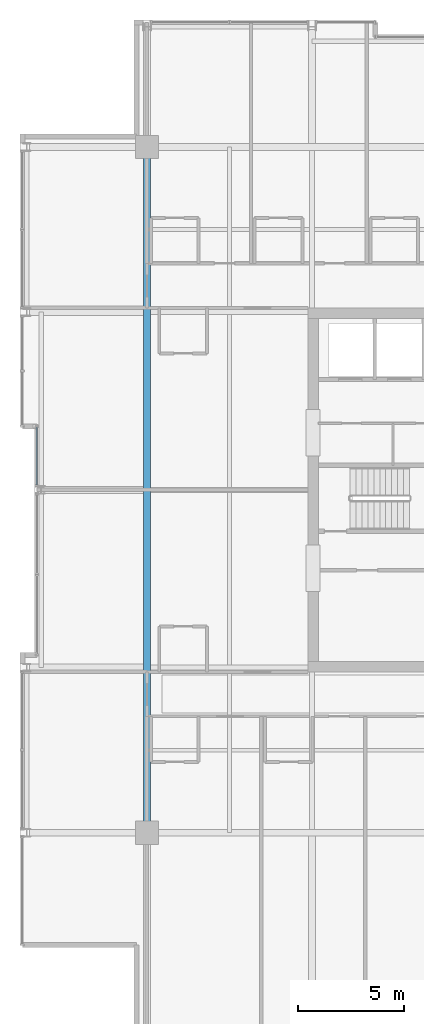
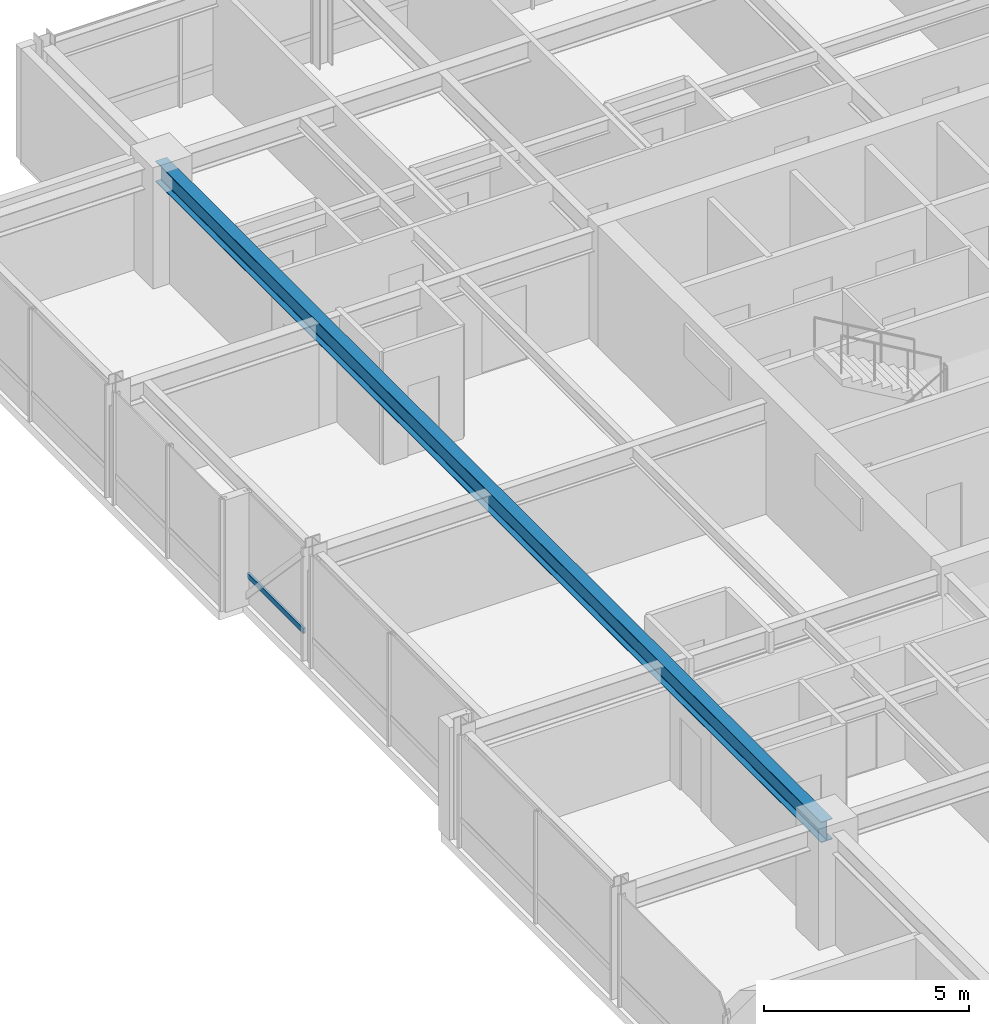
# One storey, part 9 of 33: 1 beam, 1 member, 1 element without a shape of its own.
"""IFC4 building model written with IfcOpenShell, lengths in metres."""

from ifc_helpers import new_model, si_unit, direction, frame, origin, origin_2d, place, context, subcontext, project, spatial, hollow_rectangle, i_section, extrude, material, layer, layer_set, material_profile, profile_set, type_object, element, aggregate, save


model = new_model("IFC4")

# Units and contexts
model_context = context("Model", 3, precision=1e-05, world=origin(), true_north=direction((0.0, 1.0)))
body_context = subcontext(model_context, "Body", "Model", "MODEL_VIEW")
ifc_project = project(units=[si_unit("LENGTHUNIT", "METRE"), si_unit("AREAUNIT", "SQUARE_METRE"), si_unit("VOLUMEUNIT", "CUBIC_METRE"), si_unit("PLANEANGLEUNIT", "RADIAN"), si_unit("MASSUNIT", "GRAM", prefix="KILO")], contexts=[model_context])

# Site, building, storey
site_placement = place(None, origin())
site = spatial("IfcSite", under=ifc_project, at=site_placement, CompositionType="ELEMENT")
building_placement = place(site_placement, origin())
building = spatial("IfcBuilding", under=site, at=building_placement, Name="Drelvath Grand Hotel", CompositionType="ELEMENT")
storey_placement = place(building_placement, frame((0.0, 0.0, 212.300048828125)))
storey = spatial("IfcBuildingStorey", under=building, at=storey_placement, Name="L55", CompositionType="ELEMENT", Elevation=212.300048828125)

# Curtain wall, member
ifc_material_1 = material(Name="Platinum-Mist Anodised Aluminium Frame", Category="aluminium")
ifc_layer = layer(ifc_material_1, 0.199951171875)
ifc_layer_set = layer_set([ifc_layer], Name="Platinum-Mist Anodised Aluminium Frame")
curtain_wall_type = type_object("IfcCurtainWallType", Name="Stick Curtain Wall CW-05 Platinum Mist High-Rise", PredefinedType="NOTDEFINED", material=ifc_layer_set)
curtain_wall_placement = place(storey_placement, origin())
curtain_wall = element("IfcCurtainWall", 1, at=curtain_wall_placement, inside=storey, type_object=curtain_wall_type, Name="L55 CW-05 Curtain Wall CW05-L55-WM2", PredefinedType="NOTDEFINED")
ifc_material_profile_1 = material_profile(ifc_material_1, hollow_rectangle(XDim=0.06494140625, YDim=0.159912109375, WallThickness=0.00390625, at=origin_2d()), Name="HSS160X65X4")
ifc_profile_set_1 = profile_set([ifc_material_profile_1], Name="Platinum-Mist Anodised Aluminium Frame")
member_type = type_object("IfcMemberType", Name="Curtain Wall Horizontal Transom CW-05 HSS160X65X4", PredefinedType="USERDEFINED", material=ifc_profile_set_1)
member_placement = place(storey_placement, frame((-21.39990234375, 27.225341796875, 0.8349609375), z_axis=(0.0, 1.0, 0.0), x_axis=(-1.0, 0.0, 0.0)))
member = element("IfcMember", 2, at=member_placement, type_object=member_type, Name="CW05-L55-WM2 Sill Transom", ObjectType="TRANSOM", PredefinedType="USERDEFINED", context=body_context, shape_type="SweptSolid", body=[
    extrude(hollow_rectangle(XDim=0.06494140625, YDim=0.159912109375, WallThickness=0.00390625, at=origin_2d()), origin(), (0.0, 0.0, 1.0), 2.734619140625),
])
aggregate(curtain_wall, [member])

# Beam
ifc_material_2 = material(Name="Steel ASTM A992 Gr 50", Category="steel")
ifc_material_profile_2 = material_profile(ifc_material_2, i_section(OverallWidth=0.323974609375, OverallDepth=0.611083984375, WebThickness=0.0126953125, FlangeThickness=0.01904296875, FilletRadius=0.02197265625, at=origin_2d()), Name="W24X104")
ifc_profile_set_2 = profile_set([ifc_material_profile_2], Name="Steel ASTM A992 Gr 50")
beam_type = type_object("IfcBeamType", Name="Primary Floor Girder W24X104", PredefinedType="BEAM", material=ifc_profile_set_2)
beam_placement = place(storey_placement, frame((-16.199951171875, 10.800048828125, 3.034423828125), z_axis=(0.0, 1.0, 0.0), x_axis=(-1.0, 0.0, 0.0)))
element("IfcBeam", 3, at=beam_placement, inside=storey, type_object=beam_type, Name="L55 Mega Ring Girder West", PredefinedType="BEAM", context=body_context, shape_type="SweptSolid", body=[
    extrude(i_section(OverallWidth=0.323974609375, OverallDepth=0.611083984375, WebThickness=0.0126953125, FlangeThickness=0.01904296875, FilletRadius=0.02197265625, at=origin_2d()), origin(), (0.0, 0.0, 1.0), 32.39990234375),
])

save(model, "model.ifc")
